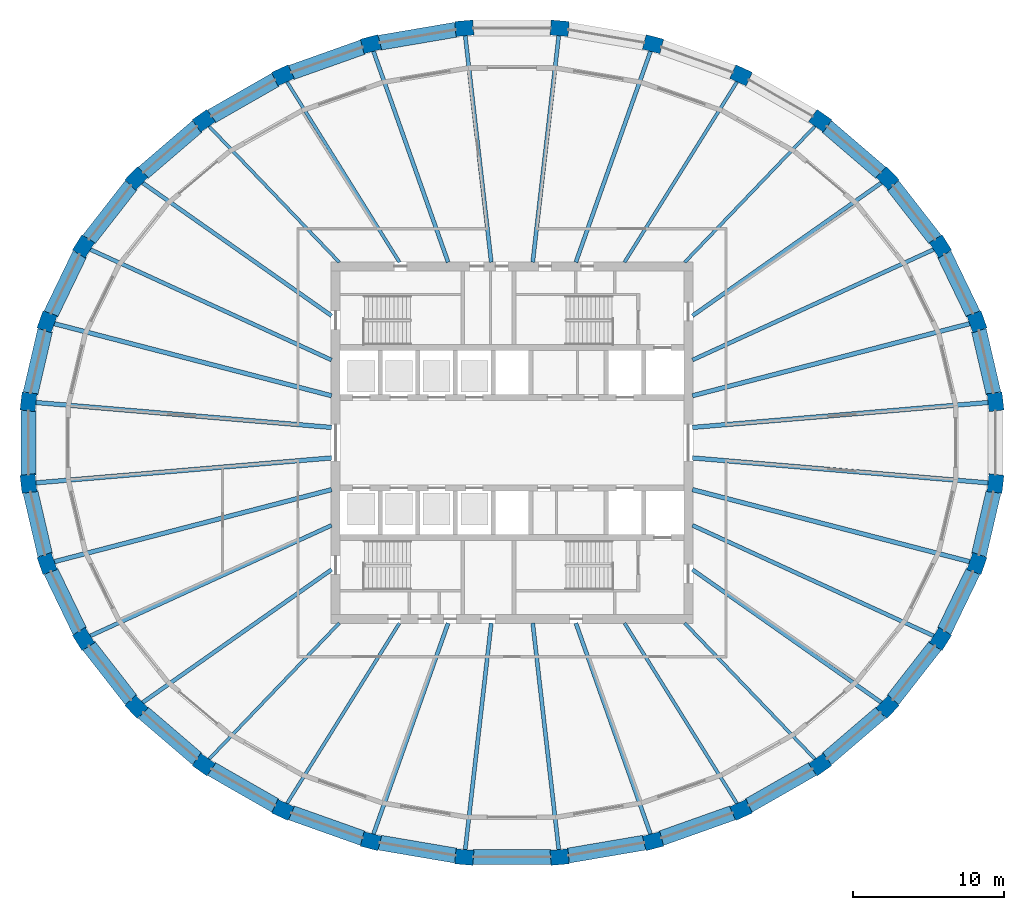
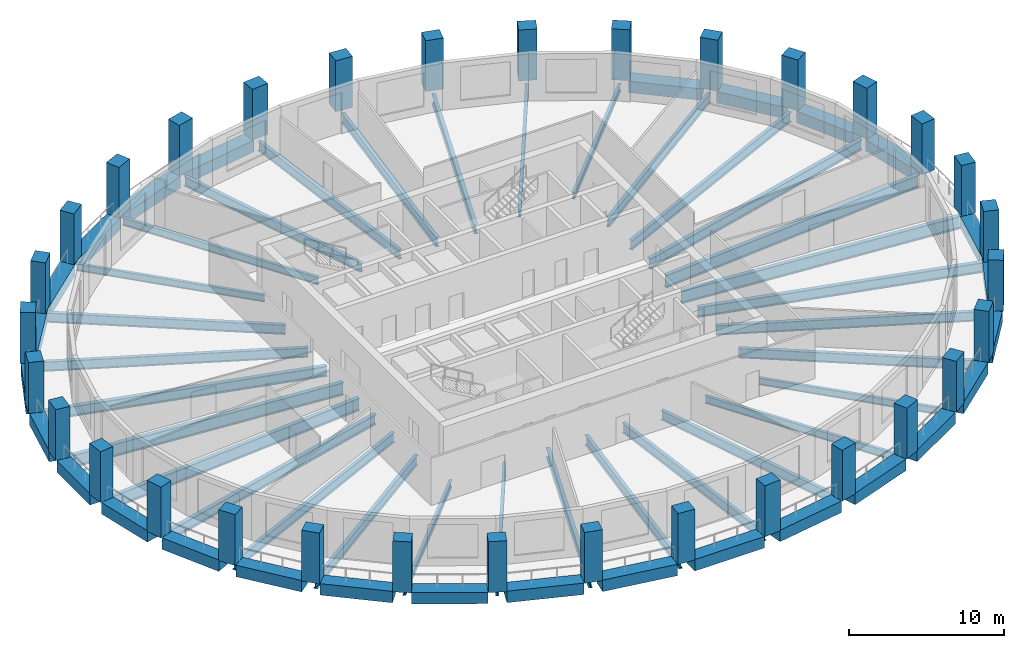
# One storey, part 1 of 10: 59 beams, 32 columns.
"""IFC4 building model written with IfcOpenShell, lengths in metres."""

import ifcopenshell
import ifcopenshell.guid

model = None  # the IFC model being written
_history = None  # IfcOwnerHistory: only IFC2X3 demands one
_inside = {}  # id of a spatial element -> (the spatial element, [elements in it])
_under = {}  # id of a project, library or spatial element -> (it, [spatial elements below it])
_declared = {}  # id of a project -> (the project, [libraries it declares])
_typed = {}  # id of a type object -> (the type object, [elements of that type])
_made_of = {}  # id of a material, layer set ... -> (it, [elements and type objects made of it])


def new_model(schema):
    """Start an empty IFC model of exactly this schema.

    Asked for "IFC4X3", IfcOpenShell would pick the latest addendum, in which some entities
    have other attributes; the version numbers below select the first issue.
    IFC2X3 requires an IfcOwnerHistory on every rooted entity: one is made here for all.
    """
    global model, _history
    if schema == "IFC4X3":
        model = ifcopenshell.file(schema_version=(4, 3, 0, 0))
    else:
        model = ifcopenshell.file(schema=schema)
    _inside.clear()
    _under.clear()
    _declared.clear()
    _typed.clear()
    _made_of.clear()
    _history = None
    if model.schema == "IFC2X3":
        org = make("IfcOrganization", Name="unknown")
        user = make(
            "IfcPersonAndOrganization",
            ThePerson=make("IfcPerson", FamilyName="unknown"),
            TheOrganization=org,
        )
        app = make(
            "IfcApplication",
            ApplicationDeveloper=org,
            Version="unknown",
            ApplicationFullName="unknown",
            ApplicationIdentifier="unknown",
        )
        _history = make(
            "IfcOwnerHistory",
            OwningUser=user,
            OwningApplication=app,
            ChangeAction="ADDED",
            CreationDate=0,
        )
    return model


def make(cls, **values):
    """One entity of the class cls with the attributes given. An attribute that is None is left unset."""
    return model.create_entity(
        cls, **{name: value for name, value in values.items() if value is not None}
    )


def rooted(cls, **values):
    """An entity with a GlobalId (a new one), such as an element, a storey or a relation."""
    return make(cls, GlobalId=ifcopenshell.guid.new(), OwnerHistory=_history, **values)


def si_unit(unit_type, name, prefix=None):
    """IfcSIUnit, for example si_unit("LENGTHUNIT", "METRE", prefix="MILLI")."""
    return make("IfcSIUnit", UnitType=unit_type, Prefix=prefix, Name=name)


def assignment(units):
    """IfcUnitAssignment: the units of a project."""
    return None if units is None else make("IfcUnitAssignment", Units=units)


def point(xyz):
    """IfcCartesianPoint."""
    return None if xyz is None else make("IfcCartesianPoint", Coordinates=xyz)


def direction(xyz):
    """IfcDirection."""
    return None if xyz is None else make("IfcDirection", DirectionRatios=xyz)


def frame(location, z_axis=None, x_axis=None):
    """IfcAxis2Placement3D, a coordinate frame: its origin and axes. An axis left out is left unset."""
    return make(
        "IfcAxis2Placement3D",
        Location=point(location),
        Axis=direction(z_axis),
        RefDirection=direction(x_axis),
    )


def frame_2d(location, x_axis=None):
    """IfcAxis2Placement2D, a coordinate frame in the plane: its origin and x axis."""
    return make(
        "IfcAxis2Placement2D", Location=point(location), RefDirection=direction(x_axis)
    )


def origin():
    """The frame at (0, 0, 0) with its axes left unset."""
    return frame((0.0, 0.0, 0.0))


def origin_2d():
    """The frame at (0, 0) in the plane with its x axis left unset."""
    return frame_2d((0.0, 0.0))


def place(relative_to, where):
    """IfcLocalPlacement: puts the frame where relative to a parent placement (None: the world)."""
    return make(
        "IfcLocalPlacement", PlacementRelTo=relative_to, RelativePlacement=where
    )


def context(
    kind, dimensions, precision=None, world=None, true_north=None, identifier=None
):
    """IfcGeometricRepresentationContext, for example the 3D "Model" context."""
    return make(
        "IfcGeometricRepresentationContext",
        ContextIdentifier=identifier,
        ContextType=kind,
        CoordinateSpaceDimension=dimensions,
        Precision=precision,
        WorldCoordinateSystem=world,
        TrueNorth=true_north,
    )


def subcontext(parent, identifier, kind, view, scale=None):
    """IfcGeometricRepresentationSubContext, for example "Body" below "Model"."""
    return make(
        "IfcGeometricRepresentationSubContext",
        ContextIdentifier=identifier,
        ContextType=kind,
        ParentContext=parent,
        TargetScale=scale,
        TargetView=view,
    )


def project(units=None, contexts=None):
    """IfcProject with its units and contexts."""
    return rooted(
        "IfcProject",
        Name="project",
        RepresentationContexts=contexts,
        UnitsInContext=assignment(units),
    )


def spatial(cls, under=None, at=None, **own):
    """A site, building, storey or space (cls), placed at a placement, below another one or the project."""
    s = rooted(cls, ObjectPlacement=at, **own)
    if under is not None:
        _under.setdefault(under.id(), (under, []))[1].append(s)
    return s


def profile(cls, at=None, kind="AREA", **sizes):
    """A parametric profile (cls). Its sizes go by their IFC names, for example OverallWidth=200.0."""
    return make(cls, ProfileType=kind, Position=at, **sizes)


def rectangle(**sizes):
    """IfcRectangleProfileDef."""
    return profile("IfcRectangleProfileDef", **sizes)


def i_section(**sizes):
    """IfcIShapeProfileDef."""
    return profile("IfcIShapeProfileDef", **sizes)


def extrude(swept, where, along, depth):
    """IfcExtrudedAreaSolid: the profile swept, set in the frame where, extruded along a direction by depth."""
    return make(
        "IfcExtrudedAreaSolid",
        SweptArea=swept,
        Position=where,
        ExtrudedDirection=direction(along),
        Depth=depth,
    )


def shape(context_of_items, identifier, shape_type, items):
    """IfcShapeRepresentation: the items that make up one representation, for example the "Body"."""
    return make(
        "IfcShapeRepresentation",
        ContextOfItems=context_of_items,
        RepresentationIdentifier=identifier,
        RepresentationType=shape_type,
        Items=items,
    )


def material(Name=None, Category=None):
    """IfcMaterial."""
    return make("IfcMaterial", Name=Name, Category=Category)


def material_profile(
    of_material, cross_section, Name=None, Category=None, Priority=None
):
    """IfcMaterialProfile: a cross section and its material."""
    return make(
        "IfcMaterialProfile",
        Name=Name,
        Material=of_material,
        Profile=cross_section,
        Priority=Priority,
        Category=Category,
    )


def profile_set(profiles, Name=None, composite=None):
    """IfcMaterialProfileSet."""
    return make(
        "IfcMaterialProfileSet",
        Name=Name,
        MaterialProfiles=profiles,
        CompositeProfile=composite,
    )


def made_of(thing, what):
    """Note that an element or type object is made of a material, layer set ...; save() writes the relation."""
    if what is not None:
        _made_of.setdefault(what.id(), (what, []))[1].append(thing)
    return thing


def type_object(cls, material=None, **own):
    """A type object (cls), such as IfcWallType, which elements share."""
    return made_of(rooted(cls, **own), material)


def element(
    cls,
    number,
    at=None,
    inside=None,
    cuts=None,
    type_object=None,
    material=None,
    context=None,
    identifier="Body",
    shape_type=None,
    held_by="IfcProductDefinitionShape",
    body=None,
    shapes=None,
    **own,
):
    """One element of the class cls, such as IfcWall. Its Tag is "e" and its number.

    at: its placement. inside: the storey or other place that contains it. cuts: it is an
    opening in that element (IfcRelVoidsElement). A single representation is given by context,
    identifier, shape_type and body (its items); several are given by shapes. held_by: the class
    of the entity that holds the representations. save() writes the other relations.
    """
    e = rooted(cls, Tag="e%d" % number, ObjectPlacement=at, **own)
    if body is not None:
        shapes = [shape(context, identifier, shape_type, body)]
    if shapes is not None:
        e.Representation = make(held_by, Representations=shapes)
    if inside is not None:
        _inside.setdefault(inside.id(), (inside, []))[1].append(e)
    if cuts is not None:
        rooted(
            "IfcRelVoidsElement", RelatingBuildingElement=cuts, RelatedOpeningElement=e
        )
    if type_object is not None:
        _typed.setdefault(type_object.id(), (type_object, []))[1].append(e)
    return made_of(e, material)


def aggregate(whole, parts):
    """IfcRelAggregates: a whole, such as a stair, and the parts it consists of."""
    return rooted("IfcRelAggregates", RelatingObject=whole, RelatedObjects=parts)


def save(model, path):
    """Write the relations noted so far, then the file.

    IfcRelAggregates (storeys below a building ...), IfcRelContainedInSpatialStructure (elements
    in a storey), IfcRelDefinesByType, IfcRelAssociatesMaterial and IfcRelDeclares: one each for
    every whole, place, type object, material and project.
    """
    for whole, parts in _under.values():
        aggregate(whole, parts)
    for where, things in _inside.values():
        rooted(
            "IfcRelContainedInSpatialStructure",
            RelatedElements=things,
            RelatingStructure=where,
        )
    for kind, things in _typed.values():
        rooted("IfcRelDefinesByType", RelatedObjects=things, RelatingType=kind)
    for what, things in _made_of.values():
        rooted("IfcRelAssociatesMaterial", RelatedObjects=things, RelatingMaterial=what)
    for by, libraries in _declared.values():
        rooted("IfcRelDeclares", RelatingContext=by, RelatedDefinitions=libraries)
    model.write(path)


model = new_model("IFC4")

# Units and contexts
model_context = context("Model", 3, precision=1e-05, world=origin(), true_north=direction((0.0, 1.0)))
body_context = subcontext(model_context, "Body", "Model", "MODEL_VIEW")
ifc_project = project(units=[si_unit("LENGTHUNIT", "METRE"), si_unit("AREAUNIT", "SQUARE_METRE"), si_unit("VOLUMEUNIT", "CUBIC_METRE"), si_unit("PLANEANGLEUNIT", "RADIAN"), si_unit("MASSUNIT", "GRAM", prefix="KILO")], contexts=[model_context])

# Site, building, storey
site_placement = place(None, origin())
site = spatial("IfcSite", under=ifc_project, at=site_placement, CompositionType="ELEMENT")
building_placement = place(site_placement, origin())
building = spatial("IfcBuilding", under=site, at=building_placement, Name="Halqa Exchange Tower", CompositionType="ELEMENT")
storey_placement = place(building_placement, frame((0.0, 0.0, 202.89990234375)))
storey = spatial("IfcBuildingStorey", under=building, at=storey_placement, Name="L46", CompositionType="ELEMENT", Elevation=202.89990234375)

# Columns
ifc_material_1 = material(Name="Concrete C60/75", Category="concrete")
ifc_material_profile_1 = material_profile(ifc_material_1, rectangle(XDim=1.199951171875, YDim=1.0, at=origin_2d()), Name="1200 x 1000")
ifc_profile_set_1 = profile_set([ifc_material_profile_1], Name="Concrete C60/75")
column_type = type_object("IfcColumnType", Name="RC ring column 1200 x 1000 C60/75", PredefinedType="COLUMN", material=ifc_profile_set_1)
for number, where, z_axis, x_axis, name in (
    (1, (32.08154296875, 2.70849609375, 0.0), (0.0, 0.0, 1.0), (-0.114156921978, 0.993462730637, 0.0), "Ring column 1"),
    (2, (30.8486328125, 8.02099609375, 0.0), (0.0, 0.0, 1.0), (-0.333632460227, 0.942703230865, 0.0), "Ring column 2"),
    (3, (28.430419921875, 13.025390625, 0.0), (0.0, 0.0, 1.0), (-0.529143458197, 0.848532380435, 0.0), "Ring column 3"),
    (4, (24.91943359375, 17.529296875, 0.0), (0.0, 0.0, 1.0), (-0.691577351953, 0.722302406382, 0.0), "Ring column 4"),
    (5, (20.45068359375, 21.359375, 0.0), (0.0, 0.0, 1.0), (-0.817908788019, 0.57534790734, 0.0), "Ring column 5"),
    (6, (15.1962890625, 24.368896484375, 0.0), (0.0, 0.0, 1.0), (-0.909126368869, 0.416520402174, 0.0), "Ring column 6"),
    (7, (9.35791015625, 26.441650390625, 0.0), (0.0, 0.0, 1.0), (-0.967820381973, 0.251642023988, 0.0), "Ring column 7"),
    (8, (3.159912109375, 27.498291015625, 0.0), (0.0, 0.0, 1.0), (-0.996455812618, 0.084117854819, 0.0), "Ring column 8"),
    (9, (-3.159912109375, 27.498291015625, 0.0), (0.0, 0.0, 1.0), (-0.996455812618, -0.084117854819, 0.0), "Ring column 9"),
    (10, (-9.35791015625, 26.441650390625, 0.0), (0.0, 0.0, 1.0), (-0.967820381973, -0.251642023988, 0.0), "Ring column 10"),
    (11, (-15.1962890625, 24.368896484375, 0.0), (0.0, 0.0, 1.0), (-0.909126368869, -0.416520402174, 0.0), "Ring column 11"),
    (12, (-20.45068359375, 21.359375, 0.0), (0.0, 0.0, 1.0), (-0.817908788019, -0.57534790734, 0.0), "Ring column 12"),
    (13, (-24.91943359375, 17.529296875, 0.0), (0.0, 0.0, 1.0), (-0.691577351953, -0.722302406382, 0.0), "Ring column 13"),
    (14, (-28.430419921875, 13.025390625, 0.0), (0.0, 0.0, 1.0), (-0.529143458197, -0.848532380435, 0.0), "Ring column 14"),
    (15, (-30.8486328125, 8.02099609375, 0.0), (0.0, 0.0, 1.0), (-0.333632460227, -0.942703230865, 0.0), "Ring column 15"),
    (16, (-32.08154296875, 2.70849609375, 0.0), (0.0, 0.0, 1.0), (-0.114156921978, -0.993462730637, 0.0), "Ring column 16"),
    (17, (-32.08154296875, -2.70849609375, 0.0), (0.0, 0.0, 1.0), (0.114156921978, -0.993462730637, 0.0), "Ring column 17"),
    (18, (-30.8486328125, -8.02099609375, 0.0), (0.0, 0.0, 1.0), (0.333632460227, -0.942703230865, 0.0), "Ring column 18"),
    (19, (-28.430419921875, -13.025390625, 0.0), (0.0, 0.0, 1.0), (0.529143458197, -0.848532380435, 0.0), "Ring column 19"),
    (20, (-24.91943359375, -17.529296875, 0.0), (0.0, 0.0, 1.0), (0.691577351953, -0.722302406382, 0.0), "Ring column 20"),
    (21, (-20.45068359375, -21.359375, 0.0), (0.0, 0.0, 1.0), (0.817908788019, -0.57534790734, 0.0), "Ring column 21"),
    (22, (-15.1962890625, -24.368896484375, 0.0), (0.0, 0.0, 1.0), (0.909126368869, -0.416520402174, 0.0), "Ring column 22"),
    (23, (-9.35791015625, -26.441650390625, 0.0), (0.0, 0.0, 1.0), (0.967820381973, -0.251642023988, 0.0), "Ring column 23"),
    (24, (-3.159912109375, -27.498291015625, 0.0), (0.0, 0.0, 1.0), (0.996455812618, -0.084117854819, 0.0), "Ring column 24"),
    (25, (3.159912109375, -27.498291015625, 0.0), (0.0, 0.0, 1.0), (0.996455812618, 0.084117854819, 0.0), "Ring column 25"),
    (26, (9.35791015625, -26.441650390625, 0.0), (0.0, 0.0, 1.0), (0.967820381973, 0.251642023988, 0.0), "Ring column 26"),
    (27, (15.1962890625, -24.368896484375, 0.0), (0.0, 0.0, 1.0), (0.909126368869, 0.416520402174, 0.0), "Ring column 27"),
    (28, (20.45068359375, -21.359375, 0.0), (0.0, 0.0, 1.0), (0.817908788019, 0.57534790734, 0.0), "Ring column 28"),
    (29, (24.91943359375, -17.529296875, 0.0), (0.0, 0.0, 1.0), (0.691577351953, 0.722302406382, 0.0), "Ring column 29"),
    (30, (28.430419921875, -13.025390625, 0.0), (0.0, 0.0, 1.0), (0.529143458197, 0.848532380435, 0.0), "Ring column 30"),
    (31, (30.8486328125, -8.02099609375, 0.0), (0.0, 0.0, 1.0), (0.333632460227, 0.942703230865, 0.0), "Ring column 31"),
    (32, (32.08154296875, -2.70849609375, 0.0), (0.0, 0.0, 1.0), (0.114156921978, 0.993462730637, 0.0), "Ring column 32"),
):
    element("IfcColumn", number, at=place(storey_placement, frame(where, z_axis=z_axis, x_axis=x_axis)), inside=storey, type_object=column_type, Name=name, PredefinedType="COLUMN", context=body_context, shape_type="SweptSolid", body=[
        extrude(rectangle(XDim=1.199951171875, YDim=1.0, at=origin_2d()), origin(), (0.0, 0.0, 1.0), 4.0),
    ])

# Beams
ifc_material_2 = material(Name="Steel S355", Category="steel")
ifc_material_profile_2 = material_profile(ifc_material_2, i_section(OverallWidth=0.300048828125, OverallDepth=0.989990234375, WebThickness=0.0166015625, FlangeThickness=0.031005859375, FilletRadius=0.030029296875, at=origin_2d()), Name="HEA 1000")
ifc_profile_set_2 = profile_set([ifc_material_profile_2], Name="Steel S355")
beam_type_1 = type_object("IfcBeamType", Name="Floor beam HEA 1000", PredefinedType="BEAM", material=ifc_profile_set_2)
for number, where, z_axis, x_axis, name in (
    (33, (11.972412109375, 1.0107421875, -0.794921875), (0.996455847373, 0.084117443114, 0.0), (-0.084117443114, 0.996455847373, 0.0), "Radial beam 1"),
    (34, (-11.972412109375, 1.0107421875, -0.794921875), (-0.996455847373, 0.084117443114, 0.0), (-0.084117443114, -0.996455847373, 0.0), "Radial beam 16"),
    (35, (-11.972412109375, -1.0107421875, -0.794921875), (-0.996455847373, -0.084117443114, 0.0), (0.084117443114, -0.996455847373, 0.0), "Radial beam 17"),
    (36, (11.972412109375, -1.0107421875, -0.794921875), (0.996455847373, -0.084117443114, 0.0), (0.084117443114, 0.996455847373, 0.0), "Radial beam 32"),
):
    element("IfcBeam", number, at=place(storey_placement, frame(where, z_axis=z_axis, x_axis=x_axis)), inside=storey, type_object=beam_type_1, Name=name, PredefinedType="BEAM", context=body_context, shape_type="SweptSolid", body=[
        extrude(i_section(OverallWidth=0.300048828125, OverallDepth=0.989990234375, WebThickness=0.0166015625, FlangeThickness=0.031005859375, FilletRadius=0.030029296875, at=origin_2d()), origin(), (0.0, 0.0, 1.0), 19.808837890625),
    ])
ifc_material_profile_3 = material_profile(ifc_material_2, i_section(OverallWidth=0.300048828125, OverallDepth=0.800048828125, WebThickness=0.017578125, FlangeThickness=0.032958984375, FilletRadius=0.030029296875, at=origin_2d()), Name="HEB 800")
ifc_profile_set_3 = profile_set([ifc_material_profile_3], Name="Steel S355")
beam_type_2 = type_object("IfcBeamType", Name="Floor beam HEB 800", PredefinedType="BEAM", material=ifc_profile_set_3)
for number, where, z_axis, x_axis, name in (
    (37, (11.97119140625, 3.11279296875, -0.699951171875), (0.967820642046, 0.251641023741, 0.0), (-0.251641023741, 0.967820642046, 0.0), "Radial beam 2"),
    (38, (-11.97119140625, 3.11279296875, -0.699951171875), (-0.967820642046, 0.251641023741, 0.0), (-0.251641023741, -0.967820642046, 0.0), "Radial beam 15"),
    (39, (-11.97119140625, -3.11279296875, -0.699951171875), (-0.967820642046, -0.251641023741, 0.0), (0.251641023741, -0.967820642046, 0.0), "Radial beam 18"),
    (40, (11.97119140625, -3.11279296875, -0.699951171875), (0.967820642046, -0.251641023741, 0.0), (0.251641023741, 0.967820642046, 0.0), "Radial beam 31"),
):
    element("IfcBeam", number, at=place(storey_placement, frame(where, z_axis=z_axis, x_axis=x_axis)), inside=storey, type_object=beam_type_2, Name=name, PredefinedType="BEAM", context=body_context, shape_type="SweptSolid", body=[
        extrude(i_section(OverallWidth=0.300048828125, OverallDepth=0.800048828125, WebThickness=0.017578125, FlangeThickness=0.032958984375, FilletRadius=0.030029296875, at=origin_2d()), origin(), (0.0, 0.0, 1.0), 19.13134765625),
    ])
ifc_material_profile_4 = material_profile(ifc_material_2, i_section(OverallWidth=0.2099609375, OverallDepth=0.550048828125, WebThickness=0.010986328125, FlangeThickness=0.01708984375, FilletRadius=0.02392578125, at=origin_2d()), Name="IPE 550")
ifc_profile_set_4 = profile_set([ifc_material_profile_4], Name="Steel S355")
beam_type_3 = type_object("IfcBeamType", Name="Floor beam IPE 550", PredefinedType="BEAM", material=ifc_profile_set_4)
for number, where, z_axis, x_axis, name in (
    (41, (11.462646484375, 11.971923828125, -0.574951171875), (0.691580517916, 0.722299375079, 0.0), (-0.722299375079, 0.691580517916, 0.0), "Radial beam 5"),
    (42, (-11.462646484375, 11.971923828125, -0.574951171875), (-0.691580517916, 0.722299375079, 0.0), (-0.722299375079, -0.691580517916, 0.0), "Radial beam 12"),
    (43, (-11.462646484375, -11.971923828125, -0.574951171875), (-0.691580517916, -0.722299375079, 0.0), (0.722299375079, -0.691580517916, 0.0), "Radial beam 21"),
    (44, (11.462646484375, -11.971923828125, -0.574951171875), (0.691580517916, -0.722299375079, 0.0), (0.722299375079, 0.691580517916, 0.0), "Radial beam 28"),
):
    element("IfcBeam", number, at=place(storey_placement, frame(where, z_axis=z_axis, x_axis=x_axis)), inside=storey, type_object=beam_type_3, Name=name, PredefinedType="BEAM", context=body_context, shape_type="SweptSolid", body=[
        extrude(i_section(OverallWidth=0.2099609375, OverallDepth=0.550048828125, WebThickness=0.010986328125, FlangeThickness=0.01708984375, FilletRadius=0.02392578125, at=origin_2d()), origin(), (0.0, 0.0, 1.0), 12.620849609375),
    ])
ifc_material_profile_5 = material_profile(ifc_material_2, i_section(OverallWidth=0.219970703125, OverallDepth=0.60009765625, WebThickness=0.011962890625, FlangeThickness=0.01904296875, FilletRadius=0.02392578125, at=origin_2d()), Name="IPE 600")
ifc_profile_set_5 = profile_set([ifc_material_profile_5], Name="Steel S355")
beam_type_4 = type_object("IfcBeamType", Name="Floor beam IPE 600", PredefinedType="BEAM", material=ifc_profile_set_5)
for number, where, z_axis, x_axis, name in (
    (45, (7.466064453125, 11.972412109375, -0.599853515625), (0.529133693888, 0.848538469365, 0.0), (-0.848538469365, 0.529133693888, 0.0), "Radial beam 6"),
    (46, (-7.466064453125, 11.972412109375, -0.599853515625), (-0.529133693888, 0.848538469365, 0.0), (-0.848538469365, -0.529133693888, 0.0), "Radial beam 11"),
    (47, (-7.466064453125, -11.972412109375, -0.599853515625), (-0.529133693888, -0.848538469365, 0.0), (0.848538469365, -0.529133693888, 0.0), "Radial beam 22"),
    (48, (7.466064453125, -11.972412109375, -0.599853515625), (0.529133693888, -0.848538469365, 0.0), (0.848538469365, 0.529133693888, 0.0), "Radial beam 27"),
):
    element("IfcBeam", number, at=place(storey_placement, frame(where, z_axis=z_axis, x_axis=x_axis)), inside=storey, type_object=beam_type_4, Name=name, PredefinedType="BEAM", context=body_context, shape_type="SweptSolid", body=[
        extrude(i_section(OverallWidth=0.219970703125, OverallDepth=0.60009765625, WebThickness=0.011962890625, FlangeThickness=0.01904296875, FilletRadius=0.02392578125, at=origin_2d()), origin(), (0.0, 0.0, 1.0), 14.233154296875),
    ])
ifc_material_profile_6 = material_profile(ifc_material_2, i_section(OverallWidth=0.264892578125, OverallDepth=0.7529296875, WebThickness=0.01318359375, FlangeThickness=0.01708984375, FilletRadius=0.01708984375, at=origin_2d()), Name="IPE 750x147")
ifc_profile_set_6 = profile_set([ifc_material_profile_6], Name="Steel S355")
beam_type_5 = type_object("IfcBeamType", Name="Floor beam IPE 750x147", PredefinedType="BEAM", material=ifc_profile_set_6)
beam_1_placement = place(storey_placement, frame((11.972412109375, 5.485107421875, -0.676513671875), z_axis=(0.909122412796, 0.416529036866, 0.0), x_axis=(-0.416529036866, 0.909122412796, 0.0)))
element("IfcBeam", 49, at=beam_1_placement, inside=storey, type_object=beam_type_5, Name="Radial beam 3", PredefinedType="BEAM", context=body_context, shape_type="SweptSolid", body=[
    extrude(i_section(OverallWidth=0.264892578125, OverallDepth=0.7529296875, WebThickness=0.01318359375, FlangeThickness=0.01708984375, FilletRadius=0.01708984375, at=origin_2d()), origin(), (0.0, 0.0, 1.0), 17.72705078125),
])
beam_2_placement = place(storey_placement, frame((11.97216796875, 8.421630859375, -0.676513671875), z_axis=(0.817904167893, 0.575354475209, 0.0), x_axis=(-0.575354475209, 0.817904167893, 0.0)))
element("IfcBeam", 50, at=beam_2_placement, inside=storey, type_object=beam_type_5, Name="Radial beam 4", PredefinedType="BEAM", context=body_context, shape_type="SweptSolid", body=[
    extrude(i_section(OverallWidth=0.264892578125, OverallDepth=0.7529296875, WebThickness=0.01318359375, FlangeThickness=0.01708984375, FilletRadius=0.01708984375, at=origin_2d()), origin(), (0.0, 0.0, 1.0), 15.45361328125),
])
beam_3_placement = place(storey_placement, frame((4.23681640625, 11.9716796875, -0.676513671875), z_axis=(0.333619887143, 0.942707680515, 0.0), x_axis=(-0.942707680515, 0.333619887143, 0.0)))
element("IfcBeam", 51, at=beam_3_placement, inside=storey, type_object=beam_type_5, Name="Radial beam 7", PredefinedType="BEAM", context=body_context, shape_type="SweptSolid", body=[
    extrude(i_section(OverallWidth=0.264892578125, OverallDepth=0.7529296875, WebThickness=0.01318359375, FlangeThickness=0.01708984375, FilletRadius=0.01708984375, at=origin_2d()), origin(), (0.0, 0.0, 1.0), 14.975341796875),
])
for number, where, z_axis, x_axis, name in (
    (52, (1.375732421875, 11.972900390625, -0.676513671875), (0.114150913868, 0.993463420999, 0.0), (-0.993463420999, 0.114150913868, 0.0), "Radial beam 8"),
    (53, (-1.375732421875, 11.972900390625, -0.676513671875), (-0.114150913868, 0.993463420999, 0.0), (-0.993463420999, -0.114150913868, 0.0), "Radial beam 9"),
):
    element("IfcBeam", number, at=place(storey_placement, frame(where, z_axis=z_axis, x_axis=x_axis)), inside=storey, type_object=beam_type_5, Name=name, PredefinedType="BEAM", context=body_context, shape_type="SweptSolid", body=[
        extrude(i_section(OverallWidth=0.264892578125, OverallDepth=0.7529296875, WebThickness=0.01318359375, FlangeThickness=0.01708984375, FilletRadius=0.01708984375, at=origin_2d()), origin(), (0.0, 0.0, 1.0), 15.255615234375),
    ])
beam_4_placement = place(storey_placement, frame((-4.23681640625, 11.9716796875, -0.676513671875), z_axis=(-0.333619887143, 0.942707680515, 0.0), x_axis=(-0.942707680515, -0.333619887143, 0.0)))
element("IfcBeam", 54, at=beam_4_placement, inside=storey, type_object=beam_type_5, Name="Radial beam 10", PredefinedType="BEAM", context=body_context, shape_type="SweptSolid", body=[
    extrude(i_section(OverallWidth=0.264892578125, OverallDepth=0.7529296875, WebThickness=0.01318359375, FlangeThickness=0.01708984375, FilletRadius=0.01708984375, at=origin_2d()), origin(), (0.0, 0.0, 1.0), 14.975341796875),
])
beam_5_placement = place(storey_placement, frame((-11.97216796875, 8.421630859375, -0.676513671875), z_axis=(-0.817904167893, 0.575354475209, 0.0), x_axis=(-0.575354475209, -0.817904167893, 0.0)))
element("IfcBeam", 55, at=beam_5_placement, inside=storey, type_object=beam_type_5, Name="Radial beam 13", PredefinedType="BEAM", context=body_context, shape_type="SweptSolid", body=[
    extrude(i_section(OverallWidth=0.264892578125, OverallDepth=0.7529296875, WebThickness=0.01318359375, FlangeThickness=0.01708984375, FilletRadius=0.01708984375, at=origin_2d()), origin(), (0.0, 0.0, 1.0), 15.45361328125),
])
for number, where, z_axis, x_axis, name in (
    (56, (-11.972412109375, 5.485107421875, -0.676513671875), (-0.909122412796, 0.416529036866, 0.0), (-0.416529036866, -0.909122412796, 0.0), "Radial beam 14"),
    (57, (-11.972412109375, -5.485107421875, -0.676513671875), (-0.909122412796, -0.416529036866, 0.0), (0.416529036866, -0.909122412796, 0.0), "Radial beam 19"),
):
    element("IfcBeam", number, at=place(storey_placement, frame(where, z_axis=z_axis, x_axis=x_axis)), inside=storey, type_object=beam_type_5, Name=name, PredefinedType="BEAM", context=body_context, shape_type="SweptSolid", body=[
        extrude(i_section(OverallWidth=0.264892578125, OverallDepth=0.7529296875, WebThickness=0.01318359375, FlangeThickness=0.01708984375, FilletRadius=0.01708984375, at=origin_2d()), origin(), (0.0, 0.0, 1.0), 17.72705078125),
    ])
beam_6_placement = place(storey_placement, frame((-11.97216796875, -8.421630859375, -0.676513671875), z_axis=(-0.817904167893, -0.575354475209, 0.0), x_axis=(0.575354475209, -0.817904167893, 0.0)))
element("IfcBeam", 58, at=beam_6_placement, inside=storey, type_object=beam_type_5, Name="Radial beam 20", PredefinedType="BEAM", context=body_context, shape_type="SweptSolid", body=[
    extrude(i_section(OverallWidth=0.264892578125, OverallDepth=0.7529296875, WebThickness=0.01318359375, FlangeThickness=0.01708984375, FilletRadius=0.01708984375, at=origin_2d()), origin(), (0.0, 0.0, 1.0), 15.45361328125),
])
beam_7_placement = place(storey_placement, frame((-4.23681640625, -11.9716796875, -0.676513671875), z_axis=(-0.333619887143, -0.942707680515, 0.0), x_axis=(0.942707680515, -0.333619887143, 0.0)))
element("IfcBeam", 59, at=beam_7_placement, inside=storey, type_object=beam_type_5, Name="Radial beam 23", PredefinedType="BEAM", context=body_context, shape_type="SweptSolid", body=[
    extrude(i_section(OverallWidth=0.264892578125, OverallDepth=0.7529296875, WebThickness=0.01318359375, FlangeThickness=0.01708984375, FilletRadius=0.01708984375, at=origin_2d()), origin(), (0.0, 0.0, 1.0), 14.975341796875),
])
for number, where, z_axis, x_axis, name in (
    (60, (-1.375732421875, -11.972900390625, -0.676513671875), (-0.114150913868, -0.993463420999, 0.0), (0.993463420999, -0.114150913868, 0.0), "Radial beam 24"),
    (61, (1.375732421875, -11.972900390625, -0.676513671875), (0.114150913868, -0.993463420999, 0.0), (0.993463420999, 0.114150913868, 0.0), "Radial beam 25"),
):
    element("IfcBeam", number, at=place(storey_placement, frame(where, z_axis=z_axis, x_axis=x_axis)), inside=storey, type_object=beam_type_5, Name=name, PredefinedType="BEAM", context=body_context, shape_type="SweptSolid", body=[
        extrude(i_section(OverallWidth=0.264892578125, OverallDepth=0.7529296875, WebThickness=0.01318359375, FlangeThickness=0.01708984375, FilletRadius=0.01708984375, at=origin_2d()), origin(), (0.0, 0.0, 1.0), 15.255615234375),
    ])
beam_8_placement = place(storey_placement, frame((4.23681640625, -11.9716796875, -0.676513671875), z_axis=(0.333619887143, -0.942707680515, 0.0), x_axis=(0.942707680515, 0.333619887143, 0.0)))
element("IfcBeam", 62, at=beam_8_placement, inside=storey, type_object=beam_type_5, Name="Radial beam 26", PredefinedType="BEAM", context=body_context, shape_type="SweptSolid", body=[
    extrude(i_section(OverallWidth=0.264892578125, OverallDepth=0.7529296875, WebThickness=0.01318359375, FlangeThickness=0.01708984375, FilletRadius=0.01708984375, at=origin_2d()), origin(), (0.0, 0.0, 1.0), 14.975341796875),
])
beam_9_placement = place(storey_placement, frame((11.97216796875, -8.421630859375, -0.676513671875), z_axis=(0.817904167893, -0.575354475209, 0.0), x_axis=(0.575354475209, 0.817904167893, 0.0)))
element("IfcBeam", 63, at=beam_9_placement, inside=storey, type_object=beam_type_5, Name="Radial beam 29", PredefinedType="BEAM", context=body_context, shape_type="SweptSolid", body=[
    extrude(i_section(OverallWidth=0.264892578125, OverallDepth=0.7529296875, WebThickness=0.01318359375, FlangeThickness=0.01708984375, FilletRadius=0.01708984375, at=origin_2d()), origin(), (0.0, 0.0, 1.0), 15.45361328125),
])
beam_10_placement = place(storey_placement, frame((11.972412109375, -5.485107421875, -0.676513671875), z_axis=(0.909122412796, -0.416529036866, 0.0), x_axis=(0.416529036866, 0.909122412796, 0.0)))
element("IfcBeam", 64, at=beam_10_placement, inside=storey, type_object=beam_type_5, Name="Radial beam 30", PredefinedType="BEAM", context=body_context, shape_type="SweptSolid", body=[
    extrude(i_section(OverallWidth=0.264892578125, OverallDepth=0.7529296875, WebThickness=0.01318359375, FlangeThickness=0.01708984375, FilletRadius=0.01708984375, at=origin_2d()), origin(), (0.0, 0.0, 1.0), 17.72705078125),
])
ifc_material_profile_7 = material_profile(ifc_material_1, rectangle(XDim=1.0, YDim=0.89990234375, at=origin_2d()), Name="1000 x 900")
ifc_profile_set_7 = profile_set([ifc_material_profile_7], Name="Concrete C60/75")
beam_type_6 = type_object("IfcBeamType", Name="RC spandrel beam 1000 x 900 C60/75", PredefinedType="SPANDREL", material=ifc_profile_set_7)
beam_11_placement = place(storey_placement, frame((31.951416015625, 3.269775390625, -0.449951171875), z_axis=(-0.226102781775, 0.974103450396, 0.0), x_axis=(-0.974103450396, -0.226102781775, 0.0)))
element("IfcBeam", 65, at=beam_11_placement, inside=storey, type_object=beam_type_6, Name="Spandrel 1", PredefinedType="SPANDREL", context=body_context, shape_type="SweptSolid", body=[
    extrude(rectangle(XDim=1.0, YDim=0.89990234375, at=origin_2d()), origin(), (0.0, 0.0, 1.0), 4.3017578125),
])
beam_12_placement = place(storey_placement, frame((30.5986328125, 8.53857421875, -0.449951171875), z_axis=(-0.435097564922, 0.900383312261, 0.0), x_axis=(-0.900383312261, -0.435097564922, 0.0)))
element("IfcBeam", 66, at=beam_12_placement, inside=storey, type_object=beam_type_6, Name="Spandrel 2", PredefinedType="SPANDREL", context=body_context, shape_type="SweptSolid", body=[
    extrude(rectangle(XDim=1.0, YDim=0.89990234375, at=origin_2d()), origin(), (0.0, 0.0, 1.0), 4.407470703125),
])
beam_13_placement = place(storey_placement, frame((28.0771484375, 13.478515625, -0.449951171875), z_axis=(-0.614814790749, 0.788671524195, 0.0), x_axis=(-0.788671524195, -0.614814790749, 0.0)))
element("IfcBeam", 67, at=beam_13_placement, inside=storey, type_object=beam_type_6, Name="Spandrel 3", PredefinedType="SPANDREL", context=body_context, shape_type="SweptSolid", body=[
    extrude(rectangle(XDim=1.0, YDim=0.89990234375, at=origin_2d()), origin(), (0.0, 0.0, 1.0), 4.56103515625),
])
beam_14_placement = place(storey_placement, frame((24.483642578125, 17.902587890625, -0.449951171875), z_axis=(-0.759242050572, 0.650808350164, 0.0), x_axis=(-0.650808350164, -0.759242050572, 0.0)))
element("IfcBeam", 68, at=beam_14_placement, inside=storey, type_object=beam_type_6, Name="Spandrel 4", PredefinedType="SPANDREL", context=body_context, shape_type="SweptSolid", body=[
    extrude(rectangle(XDim=1.0, YDim=0.89990234375, at=origin_2d()), origin(), (0.0, 0.0, 1.0), 4.7373046875),
])
beam_15_placement = place(storey_placement, frame((-3.725341796875, 27.402099609375, -0.449951171875), z_axis=(-0.985769464363, -0.168102834982, 0.0), x_axis=(0.168102834982, -0.985769464363, 0.0)))
element("IfcBeam", 69, at=beam_15_placement, inside=storey, type_object=beam_type_6, Name="Spandrel 9", PredefinedType="SPANDREL", context=body_context, shape_type="SweptSolid", body=[
    extrude(rectangle(XDim=1.0, YDim=0.89990234375, at=origin_2d()), origin(), (0.0, 0.0, 1.0), 5.139892578125),
])
beam_16_placement = place(storey_placement, frame((-9.8994140625, 26.24951171875, -0.449951171875), z_axis=(-0.942356423525, -0.334610775442, 0.0), x_axis=(0.334610775442, -0.942356423525, 0.0)))
element("IfcBeam", 70, at=beam_16_placement, inside=storey, type_object=beam_type_6, Name="Spandrel 10", PredefinedType="SPANDREL", context=body_context, shape_type="SweptSolid", body=[
    extrude(rectangle(XDim=1.0, YDim=0.89990234375, at=origin_2d()), origin(), (0.0, 0.0, 1.0), 5.047607421875),
])
beam_17_placement = place(storey_placement, frame((-15.694580078125, 24.08349609375, -0.449951171875), z_axis=(-0.867758828844, -0.496985527921, 0.0), x_axis=(0.496985527921, -0.867758828844, 0.0)))
element("IfcBeam", 71, at=beam_17_placement, inside=storey, type_object=beam_type_6, Name="Spandrel 11", PredefinedType="SPANDREL", context=body_context, shape_type="SweptSolid", body=[
    extrude(rectangle(XDim=1.0, YDim=0.89990234375, at=origin_2d()), origin(), (0.0, 0.0, 1.0), 4.905517578125),
])
beam_18_placement = place(storey_placement, frame((-20.886962890625, 20.985595703125, -0.449951171875), z_axis=(-0.759242050572, -0.650808350164, 0.0), x_axis=(0.650808350164, -0.759242050572, 0.0)))
element("IfcBeam", 72, at=beam_18_placement, inside=storey, type_object=beam_type_6, Name="Spandrel 12", PredefinedType="SPANDREL", context=body_context, shape_type="SweptSolid", body=[
    extrude(rectangle(XDim=1.0, YDim=0.89990234375, at=origin_2d()), origin(), (0.0, 0.0, 1.0), 4.7373046875),
])
beam_19_placement = place(storey_placement, frame((-25.27294921875, 17.07568359375, -0.449951171875), z_axis=(-0.614814790749, -0.788671524195, 0.0), x_axis=(0.788671524195, -0.614814790749, 0.0)))
element("IfcBeam", 73, at=beam_19_placement, inside=storey, type_object=beam_type_6, Name="Spandrel 13", PredefinedType="SPANDREL", context=body_context, shape_type="SweptSolid", body=[
    extrude(rectangle(XDim=1.0, YDim=0.89990234375, at=origin_2d()), origin(), (0.0, 0.0, 1.0), 4.56103515625),
])
beam_20_placement = place(storey_placement, frame((-28.680908203125, 12.507080078125, -0.449951171875), z_axis=(-0.435097564922, -0.900383312261, 0.0), x_axis=(0.900383312261, -0.435097564922, 0.0)))
element("IfcBeam", 74, at=beam_20_placement, inside=storey, type_object=beam_type_6, Name="Spandrel 14", PredefinedType="SPANDREL", context=body_context, shape_type="SweptSolid", body=[
    extrude(rectangle(XDim=1.0, YDim=0.89990234375, at=origin_2d()), origin(), (0.0, 0.0, 1.0), 4.407470703125),
])
beam_21_placement = place(storey_placement, frame((-30.978759765625, 7.460205078125, -0.449951171875), z_axis=(-0.226102781775, -0.974103450396, 0.0), x_axis=(0.974103450396, -0.226102781775, 0.0)))
element("IfcBeam", 75, at=beam_21_placement, inside=storey, type_object=beam_type_6, Name="Spandrel 15", PredefinedType="SPANDREL", context=body_context, shape_type="SweptSolid", body=[
    extrude(rectangle(XDim=1.0, YDim=0.89990234375, at=origin_2d()), origin(), (0.0, 0.0, 1.0), 4.3017578125),
])
beam_22_placement = place(storey_placement, frame((-32.08154296875, 2.131591796875, -0.449951171875), z_axis=(0.0, -1.0, 0.0), x_axis=(1.0, 0.0, 0.0)))
element("IfcBeam", 76, at=beam_22_placement, inside=storey, type_object=beam_type_6, Name="Spandrel 16", PredefinedType="SPANDREL", context=body_context, shape_type="SweptSolid", body=[
    extrude(rectangle(XDim=1.0, YDim=0.89990234375, at=origin_2d()), origin(), (0.0, 0.0, 1.0), 4.26318359375),
])
beam_23_placement = place(storey_placement, frame((-31.951416015625, -3.269775390625, -0.449951171875), z_axis=(0.226102781775, -0.974103450396, 0.0), x_axis=(0.974103450396, 0.226102781775, 0.0)))
element("IfcBeam", 77, at=beam_23_placement, inside=storey, type_object=beam_type_6, Name="Spandrel 17", PredefinedType="SPANDREL", context=body_context, shape_type="SweptSolid", body=[
    extrude(rectangle(XDim=1.0, YDim=0.89990234375, at=origin_2d()), origin(), (0.0, 0.0, 1.0), 4.3017578125),
])
beam_24_placement = place(storey_placement, frame((-30.5986328125, -8.53857421875, -0.449951171875), z_axis=(0.435097564922, -0.900383312261, 0.0), x_axis=(0.900383312261, 0.435097564922, 0.0)))
element("IfcBeam", 78, at=beam_24_placement, inside=storey, type_object=beam_type_6, Name="Spandrel 18", PredefinedType="SPANDREL", context=body_context, shape_type="SweptSolid", body=[
    extrude(rectangle(XDim=1.0, YDim=0.89990234375, at=origin_2d()), origin(), (0.0, 0.0, 1.0), 4.407470703125),
])
beam_25_placement = place(storey_placement, frame((-28.0771484375, -13.478515625, -0.449951171875), z_axis=(0.614814790749, -0.788671524195, 0.0), x_axis=(0.788671524195, 0.614814790749, 0.0)))
element("IfcBeam", 79, at=beam_25_placement, inside=storey, type_object=beam_type_6, Name="Spandrel 19", PredefinedType="SPANDREL", context=body_context, shape_type="SweptSolid", body=[
    extrude(rectangle(XDim=1.0, YDim=0.89990234375, at=origin_2d()), origin(), (0.0, 0.0, 1.0), 4.56103515625),
])
beam_26_placement = place(storey_placement, frame((-24.483642578125, -17.902587890625, -0.449951171875), z_axis=(0.759242050572, -0.650808350164, 0.0), x_axis=(0.650808350164, 0.759242050572, 0.0)))
element("IfcBeam", 80, at=beam_26_placement, inside=storey, type_object=beam_type_6, Name="Spandrel 20", PredefinedType="SPANDREL", context=body_context, shape_type="SweptSolid", body=[
    extrude(rectangle(XDim=1.0, YDim=0.89990234375, at=origin_2d()), origin(), (0.0, 0.0, 1.0), 4.7373046875),
])
beam_27_placement = place(storey_placement, frame((-19.951416015625, -21.6455078125, -0.449951171875), z_axis=(0.867758828844, -0.496985527921, 0.0), x_axis=(0.496985527921, 0.867758828844, 0.0)))
element("IfcBeam", 81, at=beam_27_placement, inside=storey, type_object=beam_type_6, Name="Spandrel 21", PredefinedType="SPANDREL", context=body_context, shape_type="SweptSolid", body=[
    extrude(rectangle(XDim=1.0, YDim=0.89990234375, at=origin_2d()), origin(), (0.0, 0.0, 1.0), 4.905517578125),
])
beam_28_placement = place(storey_placement, frame((-14.656005859375, -24.560546875, -0.449951171875), z_axis=(0.942356423525, -0.334610775442, 0.0), x_axis=(0.334610775442, 0.942356423525, 0.0)))
element("IfcBeam", 82, at=beam_28_placement, inside=storey, type_object=beam_type_6, Name="Spandrel 22", PredefinedType="SPANDREL", context=body_context, shape_type="SweptSolid", body=[
    extrude(rectangle(XDim=1.0, YDim=0.89990234375, at=origin_2d()), origin(), (0.0, 0.0, 1.0), 5.047607421875),
])
beam_29_placement = place(storey_placement, frame((-8.7919921875, -26.5380859375, -0.449951171875), z_axis=(0.985769464363, -0.168102834982, 0.0), x_axis=(0.168102834982, 0.985769464363, 0.0)))
element("IfcBeam", 83, at=beam_29_placement, inside=storey, type_object=beam_type_6, Name="Spandrel 23", PredefinedType="SPANDREL", context=body_context, shape_type="SweptSolid", body=[
    extrude(rectangle(XDim=1.0, YDim=0.89990234375, at=origin_2d()), origin(), (0.0, 0.0, 1.0), 5.139892578125),
])
beam_30_placement = place(storey_placement, frame((-2.586181640625, -27.498291015625, -0.449951171875), z_axis=(1.0, 0.0, 0.0), x_axis=(0.0, 1.0, 0.0)))
element("IfcBeam", 84, at=beam_30_placement, inside=storey, type_object=beam_type_6, Name="Spandrel 24", PredefinedType="SPANDREL", context=body_context, shape_type="SweptSolid", body=[
    extrude(rectangle(XDim=1.0, YDim=0.89990234375, at=origin_2d()), origin(), (0.0, 0.0, 1.0), 5.17236328125),
])
beam_31_placement = place(storey_placement, frame((3.725341796875, -27.402099609375, -0.449951171875), z_axis=(0.985769464363, 0.168102834982, 0.0), x_axis=(-0.168102834982, 0.985769464363, 0.0)))
element("IfcBeam", 85, at=beam_31_placement, inside=storey, type_object=beam_type_6, Name="Spandrel 25", PredefinedType="SPANDREL", context=body_context, shape_type="SweptSolid", body=[
    extrude(rectangle(XDim=1.0, YDim=0.89990234375, at=origin_2d()), origin(), (0.0, 0.0, 1.0), 5.139892578125),
])
beam_32_placement = place(storey_placement, frame((9.8994140625, -26.24951171875, -0.449951171875), z_axis=(0.942356423525, 0.334610775442, 0.0), x_axis=(-0.334610775442, 0.942356423525, 0.0)))
element("IfcBeam", 86, at=beam_32_placement, inside=storey, type_object=beam_type_6, Name="Spandrel 26", PredefinedType="SPANDREL", context=body_context, shape_type="SweptSolid", body=[
    extrude(rectangle(XDim=1.0, YDim=0.89990234375, at=origin_2d()), origin(), (0.0, 0.0, 1.0), 5.047607421875),
])
beam_33_placement = place(storey_placement, frame((15.694580078125, -24.08349609375, -0.449951171875), z_axis=(0.867758828844, 0.496985527921, 0.0), x_axis=(-0.496985527921, 0.867758828844, 0.0)))
element("IfcBeam", 87, at=beam_33_placement, inside=storey, type_object=beam_type_6, Name="Spandrel 27", PredefinedType="SPANDREL", context=body_context, shape_type="SweptSolid", body=[
    extrude(rectangle(XDim=1.0, YDim=0.89990234375, at=origin_2d()), origin(), (0.0, 0.0, 1.0), 4.905517578125),
])
beam_34_placement = place(storey_placement, frame((20.886962890625, -20.985595703125, -0.449951171875), z_axis=(0.759242050572, 0.650808350164, 0.0), x_axis=(-0.650808350164, 0.759242050572, 0.0)))
element("IfcBeam", 88, at=beam_34_placement, inside=storey, type_object=beam_type_6, Name="Spandrel 28", PredefinedType="SPANDREL", context=body_context, shape_type="SweptSolid", body=[
    extrude(rectangle(XDim=1.0, YDim=0.89990234375, at=origin_2d()), origin(), (0.0, 0.0, 1.0), 4.7373046875),
])
beam_35_placement = place(storey_placement, frame((25.27294921875, -17.07568359375, -0.449951171875), z_axis=(0.614814790749, 0.788671524195, 0.0), x_axis=(-0.788671524195, 0.614814790749, 0.0)))
element("IfcBeam", 89, at=beam_35_placement, inside=storey, type_object=beam_type_6, Name="Spandrel 29", PredefinedType="SPANDREL", context=body_context, shape_type="SweptSolid", body=[
    extrude(rectangle(XDim=1.0, YDim=0.89990234375, at=origin_2d()), origin(), (0.0, 0.0, 1.0), 4.56103515625),
])
beam_36_placement = place(storey_placement, frame((28.680908203125, -12.507080078125, -0.449951171875), z_axis=(0.435097564922, 0.900383312261, 0.0), x_axis=(-0.900383312261, 0.435097564922, 0.0)))
element("IfcBeam", 90, at=beam_36_placement, inside=storey, type_object=beam_type_6, Name="Spandrel 30", PredefinedType="SPANDREL", context=body_context, shape_type="SweptSolid", body=[
    extrude(rectangle(XDim=1.0, YDim=0.89990234375, at=origin_2d()), origin(), (0.0, 0.0, 1.0), 4.407470703125),
])
beam_37_placement = place(storey_placement, frame((30.978759765625, -7.460205078125, -0.449951171875), z_axis=(0.226102781775, 0.974103450396, 0.0), x_axis=(-0.974103450396, 0.226102781775, 0.0)))
element("IfcBeam", 91, at=beam_37_placement, inside=storey, type_object=beam_type_6, Name="Spandrel 31", PredefinedType="SPANDREL", context=body_context, shape_type="SweptSolid", body=[
    extrude(rectangle(XDim=1.0, YDim=0.89990234375, at=origin_2d()), origin(), (0.0, 0.0, 1.0), 4.3017578125),
])

save(model, "model.ifc")
